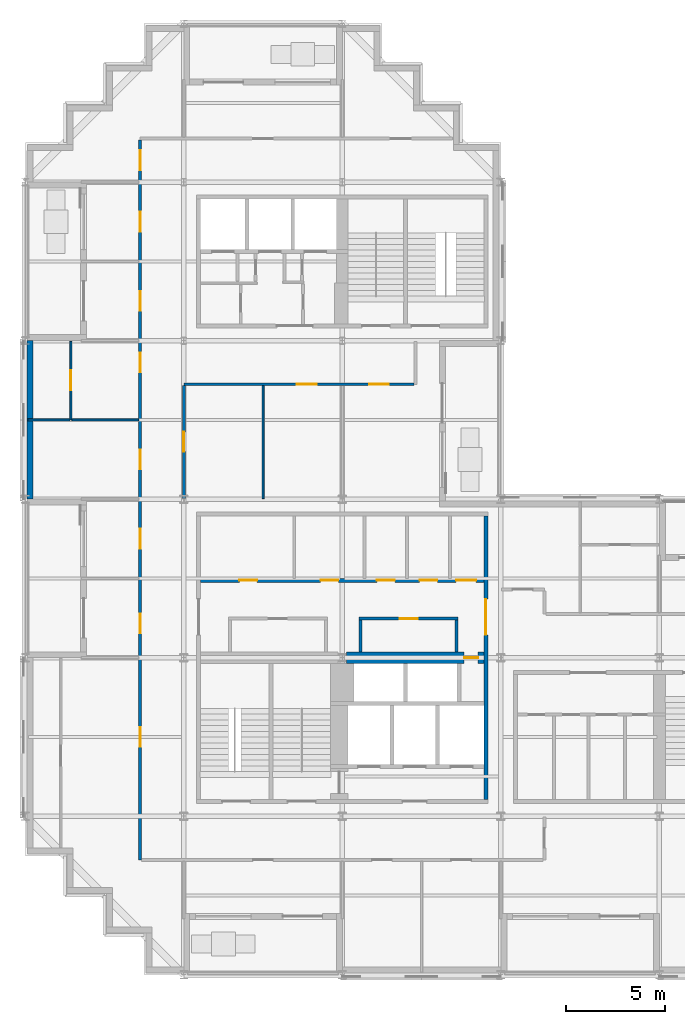
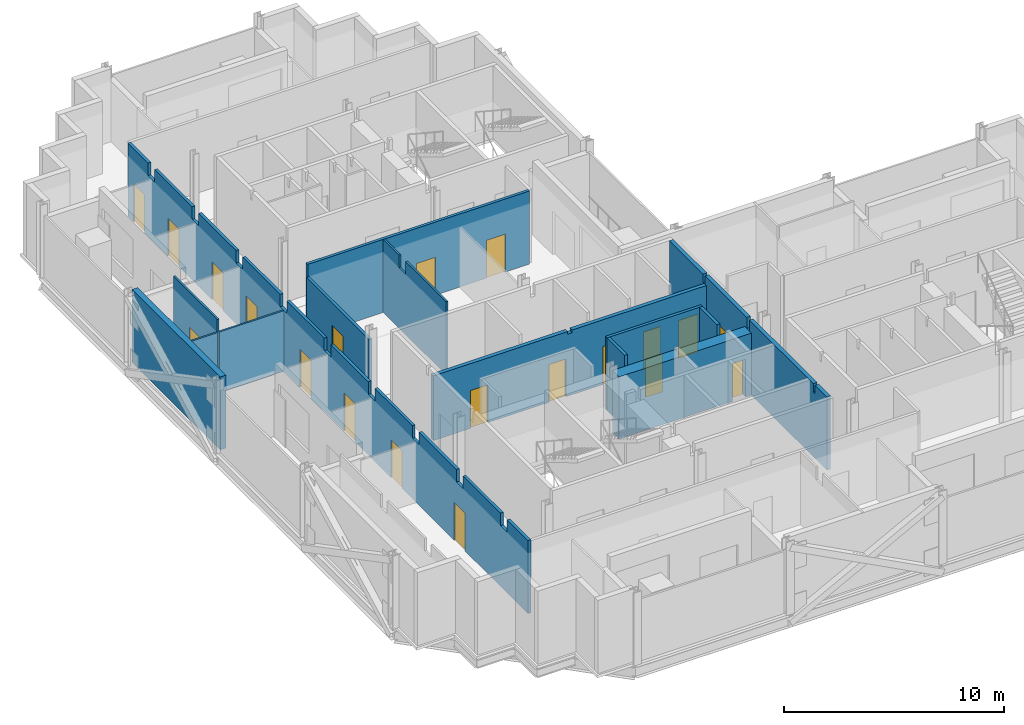
# One storey, part 6 of 13: 20 doors, 14 walls, 20 openings.
"""IFC4 building model written with IfcOpenShell, lengths in metres."""

from ifc_helpers import new_model, si_unit, direction, frame, frame_2d, origin, place, context, subcontext, project, spatial, polyline, rectangle, outline, extrude, material, layer, layer_set, type_object, element, fill, save


model = new_model("IFC4")

# Units and contexts
model_context = context("Model", 3, precision=1e-05, world=origin(), true_north=direction((0.0, 1.0)))
body_context = subcontext(model_context, "Body", "Model", "MODEL_VIEW")
ifc_project = project(units=[si_unit("LENGTHUNIT", "METRE"), si_unit("AREAUNIT", "SQUARE_METRE"), si_unit("VOLUMEUNIT", "CUBIC_METRE"), si_unit("PLANEANGLEUNIT", "RADIAN"), si_unit("MASSUNIT", "GRAM", prefix="KILO")], contexts=[model_context])

# Site, building, storey
site_placement = place(None, origin())
site = spatial("IfcSite", under=ifc_project, at=site_placement, CompositionType="ELEMENT")
building_placement = place(site_placement, origin())
building = spatial("IfcBuilding", under=site, at=building_placement, Name="Immortelle Media Tower", CompositionType="ELEMENT")
storey_placement = place(building_placement, frame((0.0, 0.0, 166.199951171875)))
storey = spatial("IfcBuildingStorey", under=building, at=storey_placement, Name="L34", CompositionType="ELEMENT", Elevation=166.199951171875)

# Wall, opening, door
ifc_material_1 = material(Name="Fire-rated masonry blockwork", Category="masonry")
ifc_layer_1 = layer(ifc_material_1, 0.60009765625)
ifc_layer_set_1 = layer_set([ifc_layer_1], Name="Fire-rated masonry blockwork")
wall_type_1 = type_object("IfcWallType", Name="Core grid-line wall 600", PredefinedType="PARTITIONING", material=ifc_layer_set_1)
wall_1_placement = place(storey_placement, frame((16.20947265625, 16.0, 0.0), z_axis=(0.0, 0.0, 1.0), x_axis=(1.0, 0.0, 0.0)))
wall_1 = element("IfcWall", 1, at=wall_1_placement, inside=storey, type_object=wall_type_1, Name="Core grid-line wall SW", PredefinedType="PARTITIONING", context=body_context, shape_type="SweptSolid", body=[
    extrude(rectangle(XDim=6.9404296875, YDim=0.60009765625, at=frame_2d((3.47021484375, 0.0))), origin(), (0.0, 0.0, 1.0), 3.442138671875),
])
opening_1_placement = place(wall_1_placement, frame((6.640380859375, 0.0, 0.0), z_axis=(0.0, 0.0, 1.0), x_axis=(-1.0, 0.0, 0.0)))
opening_1 = element("IfcOpeningElement", 2, at=opening_1_placement, cuts=wall_1, Name="Opening C5-K016", PredefinedType="OPENING", context=body_context, shape_type="SweptSolid", body=[
    extrude(rectangle(XDim=0.699951171875, YDim=2.10009765625, at=frame_2d((0.35009765625, 1.050048828125))), frame((0.0, 0.31005859375, 0.0), z_axis=(0.0, -1.0, 0.0), x_axis=(1.0, 0.0, 0.0)), (0.0, 0.0, 1.0), 0.6201171875),
])
ifc_material_2 = material(Name="Galvanised steel door leaf and frame ASTM A653", Category="steel")
door_type_1 = type_object("IfcDoorType", Name="Service door 700 x 2100", OperationType="NOTDEFINED", PredefinedType="NOTDEFINED", material=ifc_material_2)
door_1_placement = place(opening_1_placement, origin())
door_1 = element("IfcDoor", 3, at=door_1_placement, inside=storey, type_object=door_type_1, Name="Service C5-K016", OperationType="SINGLE_SWING_LEFT", OverallHeight=2.10009765625, OverallWidth=0.699951171875, PredefinedType="NOTDEFINED", context=body_context, shape_type="SweptSolid", body=[
    extrude(rectangle(XDim=0.699951171875, YDim=2.10009765625, at=frame_2d((0.35009765625, 1.050048828125))), frame((0.0, 0.02490234375, 0.0), z_axis=(0.0, -1.0, 0.0), x_axis=(1.0, 0.0, 0.0)), (0.0, 0.0, 1.0), 0.050048828125),
])
fill(opening_1, door_1)

# Wall
ifc_material_3 = material(Name="Fire-rated gypsum board", Category="gypsum")
ifc_layer_2 = layer(ifc_material_3, 0.02490234375)
ifc_material_4 = material(Name="Steel ASTM A653 SS Gr 50 stud frame with mineral wool", Category="steel")
ifc_layer_3 = layer(ifc_material_4, 0.10009765625)
ifc_layer_4 = layer(ifc_material_3, 0.02490234375)
ifc_layer_set_2 = layer_set([ifc_layer_2, ifc_layer_3, ifc_layer_4], Name="Steel ASTM A653 SS Gr 50 stud frame with mineral wool")
wall_type_2 = type_object("IfcWallType", Name="Core partition 150", PredefinedType="PARTITIONING", material=ifc_layer_set_2)
wall_2_placement = place(storey_placement, frame((16.925048828125, 16.300048828125, 0.0), z_axis=(0.0, 0.0, 1.0), x_axis=(0.0, 1.0, 0.0)))
element("IfcWall", 4, at=wall_2_placement, inside=storey, type_object=wall_type_2, Name="Core partition SW", PredefinedType="PARTITIONING", context=body_context, shape_type="SweptSolid", body=[
    extrude(rectangle(XDim=1.599853515625, YDim=0.14990234375, at=frame_2d((0.7998046875, 0.0))), origin(), (0.0, 0.0, 1.0), 4.050048828125),
])

# Wall, opening, door
wall_3_placement = place(storey_placement, frame((16.85009765625, 17.97509765625, 0.0), z_axis=(0.0, 0.0, 1.0), x_axis=(1.0, 0.0, 0.0)))
wall_3 = element("IfcWall", 5, at=wall_3_placement, inside=storey, type_object=wall_type_2, Name="Core partition SW", PredefinedType="PARTITIONING", context=body_context, shape_type="SweptSolid", body=[
    extrude(rectangle(XDim=5.0, YDim=0.14990234375, at=frame_2d((2.5, 0.0))), origin(), (0.0, 0.0, 1.0), 4.050048828125),
])
opening_2_placement = place(wall_3_placement, frame((2.949951171875, 0.0, 0.0), z_axis=(0.0, 0.0, 1.0), x_axis=(-1.0, 0.0, 0.0)))
opening_2 = element("IfcOpeningElement", 6, at=opening_2_placement, cuts=wall_3, Name="Opening C5-K010", PredefinedType="OPENING", context=body_context, shape_type="SweptSolid", body=[
    extrude(rectangle(XDim=0.89990234375, YDim=2.10009765625, at=frame_2d((0.449951171875, 1.050048828125))), frame((0.0, 0.0849609375, 0.0), z_axis=(0.0, -1.0, 0.0), x_axis=(1.0, 0.0, 0.0)), (0.0, 0.0, 1.0), 0.169921875),
])
ifc_material_5 = material(Name="Timber", Category="wood")
door_type_2 = type_object("IfcDoorType", Name="Room door 900 x 2100", OperationType="NOTDEFINED", PredefinedType="NOTDEFINED", material=ifc_material_5)
door_2_placement = place(opening_2_placement, origin())
door_2 = element("IfcDoor", 7, at=door_2_placement, inside=storey, type_object=door_type_2, Name="Room C5-K010", OperationType="SINGLE_SWING_RIGHT", OverallHeight=2.10009765625, OverallWidth=0.89990234375, PredefinedType="NOTDEFINED", context=body_context, shape_type="SweptSolid", body=[
    extrude(rectangle(XDim=0.89990234375, YDim=2.10009765625, at=frame_2d((0.449951171875, 1.050048828125))), frame((0.0, 0.02490234375, 0.0), z_axis=(0.0, -1.0, 0.0), x_axis=(1.0, 0.0, 0.0)), (0.0, 0.0, 1.0), 0.050048828125),
])
fill(opening_2, door_2)

# Wall
wall_4_placement = place(storey_placement, frame((21.77490234375, 16.300048828125, 0.0), z_axis=(0.0, 0.0, 1.0), x_axis=(0.0, 1.0, 0.0)))
element("IfcWall", 8, at=wall_4_placement, inside=storey, type_object=wall_type_2, Name="Core partition SW", PredefinedType="PARTITIONING", context=body_context, shape_type="SweptSolid", body=[
    extrude(rectangle(XDim=1.599853515625, YDim=0.14990234375, at=frame_2d((0.7998046875, 0.0))), origin(), (0.0, 0.0, 1.0), 4.050048828125),
])

# Wall, openings, doors
ifc_layer_5 = layer(ifc_material_3, 0.03759765625)
ifc_layer_6 = layer(ifc_material_4, 0.125)
ifc_layer_7 = layer(ifc_material_3, 0.03759765625)
ifc_layer_set_3 = layer_set([ifc_layer_5, ifc_layer_6, ifc_layer_7], Name="Steel ASTM A653 SS Gr 50 stud frame with mineral wool")
wall_type_3 = type_object("IfcWallType", Name="Core shaft wall 200", PredefinedType="PARTITIONING", material=ifc_layer_set_3)
wall_5_placement = place(storey_placement, frame((8.85009765625, 19.89990234375, 0.0), z_axis=(0.0, 0.0, 1.0), x_axis=(1.0, 0.0, 0.0)))
wall_5 = element("IfcWall", 9, at=wall_5_placement, inside=storey, type_object=wall_type_3, Name="Core shaft wall SW", PredefinedType="PARTITIONING", context=body_context, shape_type="SweptSolid", body=[
    extrude(outline(polyline([(0.0, 0.0), (14.2998046875, 0.0), (14.300048828125, 3.589111328125), (7.26904296875, 3.589111328125), (7.26806640625, 3.442138671875), (7.031982421875, 3.442138671875), (7.031005859375, 3.589111328125), (0.0, 3.589111328125), (0.0, 0.0)])), frame((0.0, 0.10009765625, 0.0), z_axis=(0.0, -1.0, 0.0), x_axis=(1.0, 0.0, 0.0)), (0.0, 0.0, 1.0), 0.199951171875),
])
opening_3_placement = place(wall_5_placement, frame((1.949951171875, 0.0, 0.0)))
opening_3 = element("IfcOpeningElement", 10, at=opening_3_placement, cuts=wall_5, Name="Opening C5-K003", PredefinedType="OPENING", context=body_context, shape_type="SweptSolid", body=[
    extrude(rectangle(XDim=0.89990234375, YDim=2.10009765625, at=frame_2d((0.449951171875, 1.050048828125))), frame((0.0, 0.10986328125, 0.0), z_axis=(0.0, -1.0, 0.0), x_axis=(1.0, 0.0, 0.0)), (0.0, 0.0, 1.0), 0.219970703125),
])
opening_4_placement = place(wall_5_placement, frame((6.050048828125, 0.0, 0.0)))
opening_4 = element("IfcOpeningElement", 11, at=opening_4_placement, cuts=wall_5, Name="Opening C5-K006", PredefinedType="OPENING", context=body_context, shape_type="SweptSolid", body=[
    extrude(rectangle(XDim=0.89990234375, YDim=2.10009765625, at=frame_2d((0.449951171875, 1.050048828125))), frame((0.0, 0.10986328125, 0.0), z_axis=(0.0, -1.0, 0.0), x_axis=(1.0, 0.0, 0.0)), (0.0, 0.0, 1.0), 0.219970703125),
])
opening_5_placement = place(wall_5_placement, frame((8.89990234375, 0.0, 0.0)))
opening_5 = element("IfcOpeningElement", 12, at=opening_5_placement, cuts=wall_5, Name="Opening C5-K009", PredefinedType="OPENING", context=body_context, shape_type="SweptSolid", body=[
    extrude(rectangle(XDim=0.89990234375, YDim=2.10009765625, at=frame_2d((0.449951171875, 1.050048828125))), frame((0.0, 0.10986328125, 0.0), z_axis=(0.0, -1.0, 0.0), x_axis=(1.0, 0.0, 0.0)), (0.0, 0.0, 1.0), 0.219970703125),
])
opening_6_placement = place(wall_5_placement, frame((11.050048828125, 0.0, 0.0)))
opening_6 = element("IfcOpeningElement", 13, at=opening_6_placement, cuts=wall_5, Name="Opening C5-K013", PredefinedType="OPENING", context=body_context, shape_type="SweptSolid", body=[
    extrude(rectangle(XDim=0.89990234375, YDim=2.10009765625, at=frame_2d((0.449951171875, 1.050048828125))), frame((0.0, 0.10986328125, 0.0), z_axis=(0.0, -1.0, 0.0), x_axis=(1.0, 0.0, 0.0)), (0.0, 0.0, 1.0), 0.219970703125),
])
opening_7_placement = place(wall_5_placement, frame((12.89990234375, 0.0, 0.0)))
opening_7 = element("IfcOpeningElement", 14, at=opening_7_placement, cuts=wall_5, Name="Opening C5-K015", PredefinedType="OPENING", context=body_context, shape_type="SweptSolid", body=[
    extrude(rectangle(XDim=1.0, YDim=2.10009765625, at=frame_2d((0.5, 1.050048828125))), frame((0.0, 0.10986328125, 0.0), z_axis=(0.0, -1.0, 0.0), x_axis=(1.0, 0.0, 0.0)), (0.0, 0.0, 1.0), 0.219970703125),
])
door_type_3 = type_object("IfcDoorType", Name="Accessible toilet door 1000 x 2100", OperationType="NOTDEFINED", PredefinedType="NOTDEFINED", material=ifc_material_5)
door_3_placement = place(opening_7_placement, origin())
door_3 = element("IfcDoor", 15, at=door_3_placement, inside=storey, type_object=door_type_3, Name="Accessible toilet C5-K015", OperationType="SINGLE_SWING_LEFT", OverallHeight=2.10009765625, OverallWidth=1.0, PredefinedType="NOTDEFINED", context=body_context, shape_type="SweptSolid", body=[
    extrude(rectangle(XDim=1.0, YDim=2.10009765625, at=frame_2d((0.5, 1.050048828125))), frame((0.0, 0.02490234375, 0.0), z_axis=(0.0, -1.0, 0.0), x_axis=(1.0, 0.0, 0.0)), (0.0, 0.0, 1.0), 0.050048828125),
])
fill(opening_7, door_3)
door_4_placement = place(opening_3_placement, origin())
door_4 = element("IfcDoor", 16, at=door_4_placement, inside=storey, type_object=door_type_2, Name="Room C5-K003", OperationType="SINGLE_SWING_LEFT", OverallHeight=2.10009765625, OverallWidth=0.89990234375, PredefinedType="NOTDEFINED", context=body_context, shape_type="SweptSolid", body=[
    extrude(rectangle(XDim=0.89990234375, YDim=2.10009765625, at=frame_2d((0.449951171875, 1.050048828125))), frame((0.0, 0.02490234375, 0.0), z_axis=(0.0, -1.0, 0.0), x_axis=(1.0, 0.0, 0.0)), (0.0, 0.0, 1.0), 0.050048828125),
])
fill(opening_3, door_4)
door_5_placement = place(opening_4_placement, origin())
door_5 = element("IfcDoor", 17, at=door_5_placement, inside=storey, type_object=door_type_2, Name="Room C5-K006", OperationType="SINGLE_SWING_RIGHT", OverallHeight=2.10009765625, OverallWidth=0.89990234375, PredefinedType="NOTDEFINED", context=body_context, shape_type="SweptSolid", body=[
    extrude(rectangle(XDim=0.89990234375, YDim=2.10009765625, at=frame_2d((0.449951171875, 1.050048828125))), frame((0.0, 0.02490234375, 0.0), z_axis=(0.0, -1.0, 0.0), x_axis=(1.0, 0.0, 0.0)), (0.0, 0.0, 1.0), 0.050048828125),
])
fill(opening_4, door_5)
door_type_4 = type_object("IfcDoorType", Name="Toilet door 900 x 2100", OperationType="NOTDEFINED", PredefinedType="NOTDEFINED", material=ifc_material_5)
door_6_placement = place(opening_5_placement, origin())
door_6 = element("IfcDoor", 18, at=door_6_placement, inside=storey, type_object=door_type_4, Name="Toilet C5-K009", OperationType="SINGLE_SWING_LEFT", OverallHeight=2.10009765625, OverallWidth=0.89990234375, PredefinedType="NOTDEFINED", context=body_context, shape_type="SweptSolid", body=[
    extrude(rectangle(XDim=0.89990234375, YDim=2.10009765625, at=frame_2d((0.449951171875, 1.050048828125))), frame((0.0, 0.02490234375, 0.0), z_axis=(0.0, -1.0, 0.0), x_axis=(1.0, 0.0, 0.0)), (0.0, 0.0, 1.0), 0.050048828125),
])
fill(opening_5, door_6)
door_7_placement = place(opening_6_placement, origin())
door_7 = element("IfcDoor", 19, at=door_7_placement, inside=storey, type_object=door_type_4, Name="Toilet C5-K013", OperationType="SINGLE_SWING_LEFT", OverallHeight=2.10009765625, OverallWidth=0.89990234375, PredefinedType="NOTDEFINED", context=body_context, shape_type="SweptSolid", body=[
    extrude(rectangle(XDim=0.89990234375, YDim=2.10009765625, at=frame_2d((0.449951171875, 1.050048828125))), frame((0.0, 0.02490234375, 0.0), z_axis=(0.0, -1.0, 0.0), x_axis=(1.0, 0.0, 0.0)), (0.0, 0.0, 1.0), 0.050048828125),
])
fill(opening_6, door_7)

# Wall, opening, door
wall_6_placement = place(storey_placement, frame((23.25, 8.85009765625, 0.0), z_axis=(0.0, 0.0, 1.0), x_axis=(0.0, 1.0, 0.0)))
wall_6 = element("IfcWall", 20, at=wall_6_placement, inside=storey, type_object=wall_type_3, Name="Core shaft wall SW", PredefinedType="PARTITIONING", context=body_context, shape_type="SweptSolid", body=[
    extrude(outline(polyline([(0.0, 0.0), (14.2998046875, 0.0), (14.300048828125, 4.050048828125), (11.2314453125, 4.050048828125), (11.23046875, 3.589111328125), (11.069580078125, 3.589111328125), (11.068603515625, 4.050048828125), (7.26904296875, 4.050048828125), (7.26806640625, 3.442138671875), (7.031982421875, 3.442138671875), (7.031005859375, 4.050048828125), (1.2314453125, 4.050048828125), (1.23046875, 3.589111328125), (1.069580078125, 3.589111328125), (1.068603515625, 4.050048828125), (0.0, 4.050048828125), (0.0, 0.0)])), frame((0.0, 0.10009765625, 0.0), z_axis=(0.0, -1.0, 0.0), x_axis=(1.0, 0.0, 0.0)), (0.0, 0.0, 1.0), 0.199951171875),
])
opening_8_placement = place(wall_6_placement, frame((8.300048828125, 0.0, 0.0)))
opening_8 = element("IfcOpeningElement", 21, at=opening_8_placement, cuts=wall_6, Name="Opening C5-K017", PredefinedType="OPENING", context=body_context, shape_type="SweptSolid", body=[
    extrude(rectangle(XDim=1.800048828125, YDim=2.10009765625, at=frame_2d((0.89990234375, 1.050048828125))), frame((0.0, 0.10986328125, 0.0), z_axis=(0.0, -1.0, 0.0), x_axis=(1.0, 0.0, 0.0)), (0.0, 0.0, 1.0), 0.219970703125),
])
door_type_5 = type_object("IfcDoorType", Name="Lift lobby door 1800 x 2100", OperationType="DOUBLE_DOOR_SINGLE_SWING", PredefinedType="NOTDEFINED", material=ifc_material_2)
door_8_placement = place(opening_8_placement, origin())
door_8 = element("IfcDoor", 22, at=door_8_placement, inside=storey, type_object=door_type_5, Name="Lift lobby C5-K017", OperationType="DOUBLE_DOOR_SINGLE_SWING", OverallHeight=2.10009765625, OverallWidth=1.800048828125, PredefinedType="NOTDEFINED", context=body_context, shape_type="SweptSolid", body=[
    extrude(rectangle(XDim=1.800048828125, YDim=2.10009765625, at=frame_2d((0.89990234375, 1.050048828125))), frame((0.0, 0.02490234375, 0.0), z_axis=(0.0, -1.0, 0.0), x_axis=(1.0, 0.0, 0.0)), (0.0, 0.0, 1.0), 0.050048828125),
])
fill(opening_8, door_8)

# Wall, openings, doors
ifc_layer_8 = layer(ifc_material_3, 0.012451171875)
ifc_layer_9 = layer(ifc_material_4, 0.125)
ifc_layer_10 = layer(ifc_material_3, 0.012451171875)
ifc_layer_set_4 = layer_set([ifc_layer_8, ifc_layer_9, ifc_layer_10], Name="Steel ASTM A653 SS Gr 50 stud frame with mineral wool")
wall_type_4 = type_object("IfcWallType", Name="Corridor wall 150", PredefinedType="PARTITIONING", material=ifc_layer_set_4)
wall_7_placement = place(storey_placement, frame((5.800048828125, 5.800048828125, 0.0), z_axis=(0.0, 0.0, 1.0), x_axis=(0.0, 1.0, 0.0)))
wall_7 = element("IfcWall", 23, at=wall_7_placement, inside=storey, type_object=wall_type_4, Name="Partition L34-006", PredefinedType="PARTITIONING", context=body_context, shape_type="SweptSolid", body=[
    extrude(outline(polyline([(0.0, 0.0), (36.324951171875, 0.0), (36.324951171875, 4.050048828125), (34.5, 4.050048828125), (34.498046875, 3.35400390625), (33.902099609375, 3.35400390625), (33.89990234375, 4.050048828125), (30.5, 4.050048828125), (30.498046875, 3.35400390625), (29.902099609375, 3.35400390625), (29.89990234375, 4.050048828125), (26.5, 4.050048828125), (26.498046875, 3.35400390625), (25.902099609375, 3.35400390625), (25.89990234375, 4.050048828125), (22.5, 4.050048828125), (22.498046875, 3.35400390625), (21.902099609375, 3.35400390625), (21.89990234375, 4.050048828125), (18.5, 4.050048828125), (18.498046875, 3.35400390625), (17.902099609375, 3.35400390625), (17.89990234375, 4.050048828125), (14.5, 4.050048828125), (14.498046875, 3.35400390625), (13.902099609375, 3.35400390625), (13.89990234375, 4.050048828125), (10.5, 4.050048828125), (10.498046875, 3.35400390625), (9.902099609375, 3.35400390625), (9.89990234375, 4.050048828125), (6.5, 4.050048828125), (6.498046875, 3.35400390625), (5.902099609375, 3.35400390625), (5.89990234375, 4.050048828125), (2.5, 4.050048828125), (2.498046875, 3.35400390625), (1.902099609375, 3.35400390625), (1.89990234375, 4.050048828125), (0.0, 4.050048828125), (0.0, 0.0)])), frame((0.0, 0.074951171875, 0.0), z_axis=(0.0, -1.0, 0.0), x_axis=(1.0, 0.0, 0.0)), (0.0, 0.0, 1.0), 0.14990234375),
])
opening_9_placement = place(wall_7_placement, frame((5.699951171875, 0.0, 0.0)))
opening_9 = element("IfcOpeningElement", 24, at=opening_9_placement, cuts=wall_7, Name="Opening C5-F005", PredefinedType="OPENING", context=body_context, shape_type="SweptSolid", body=[
    extrude(rectangle(XDim=1.0, YDim=2.10009765625, at=frame_2d((0.5, 1.050048828125))), frame((0.0, 0.0849609375, 0.0), z_axis=(0.0, -1.0, 0.0), x_axis=(1.0, 0.0, 0.0)), (0.0, 0.0, 1.0), 0.169921875),
])
opening_10_placement = place(wall_7_placement, frame((11.425048828125, 0.0, 0.0)))
opening_10 = element("IfcOpeningElement", 25, at=opening_10_placement, cuts=wall_7, Name="Opening C5-F008", PredefinedType="OPENING", context=body_context, shape_type="SweptSolid", body=[
    extrude(rectangle(XDim=1.0, YDim=2.10009765625, at=frame_2d((0.5, 1.050048828125))), frame((0.0, 0.0849609375, 0.0), z_axis=(0.0, -1.0, 0.0), x_axis=(1.0, 0.0, 0.0)), (0.0, 0.0, 1.0), 0.169921875),
])
opening_11_placement = place(wall_7_placement, frame((15.699951171875, 0.0, 0.0)))
opening_11 = element("IfcOpeningElement", 26, at=opening_11_placement, cuts=wall_7, Name="Opening C5-F009", PredefinedType="OPENING", context=body_context, shape_type="SweptSolid", body=[
    extrude(rectangle(XDim=1.0, YDim=2.10009765625, at=frame_2d((0.5, 1.050048828125))), frame((0.0, 0.0849609375, 0.0), z_axis=(0.0, -1.0, 0.0), x_axis=(1.0, 0.0, 0.0)), (0.0, 0.0, 1.0), 0.169921875),
])
opening_12_placement = place(wall_7_placement, frame((19.699951171875, 0.0, 0.0)))
opening_12 = element("IfcOpeningElement", 27, at=opening_12_placement, cuts=wall_7, Name="Opening C5-F016", PredefinedType="OPENING", context=body_context, shape_type="SweptSolid", body=[
    extrude(rectangle(XDim=1.0, YDim=2.10009765625, at=frame_2d((0.5, 1.050048828125))), frame((0.0, 0.0849609375, 0.0), z_axis=(0.0, -1.0, 0.0), x_axis=(1.0, 0.0, 0.0)), (0.0, 0.0, 1.0), 0.169921875),
])
opening_13_placement = place(wall_7_placement, frame((25.60009765625, 0.0, 0.0), z_axis=(0.0, 0.0, 1.0), x_axis=(-1.0, 0.0, 0.0)))
opening_13 = element("IfcOpeningElement", 28, at=opening_13_placement, cuts=wall_7, Name="Opening C5-F017", PredefinedType="OPENING", context=body_context, shape_type="SweptSolid", body=[
    extrude(rectangle(XDim=1.0, YDim=2.10009765625, at=frame_2d((0.5, 1.050048828125))), frame((0.0, 0.0849609375, 0.0), z_axis=(0.0, -1.0, 0.0), x_axis=(1.0, 0.0, 0.0)), (0.0, 0.0, 1.0), 0.169921875),
])
opening_14_placement = place(wall_7_placement, frame((27.699951171875, 0.0, 0.0)))
opening_14 = element("IfcOpeningElement", 29, at=opening_14_placement, cuts=wall_7, Name="Opening C5-F019", PredefinedType="OPENING", context=body_context, shape_type="SweptSolid", body=[
    extrude(rectangle(XDim=1.0, YDim=2.10009765625, at=frame_2d((0.5, 1.050048828125))), frame((0.0, 0.0849609375, 0.0), z_axis=(0.0, -1.0, 0.0), x_axis=(1.0, 0.0, 0.0)), (0.0, 0.0, 1.0), 0.169921875),
])
opening_15_placement = place(wall_7_placement, frame((31.699951171875, 0.0, 0.0)))
opening_15 = element("IfcOpeningElement", 30, at=opening_15_placement, cuts=wall_7, Name="Opening C5-F020", PredefinedType="OPENING", context=body_context, shape_type="SweptSolid", body=[
    extrude(rectangle(XDim=1.0, YDim=2.10009765625, at=frame_2d((0.5, 1.050048828125))), frame((0.0, 0.0849609375, 0.0), z_axis=(0.0, -1.0, 0.0), x_axis=(1.0, 0.0, 0.0)), (0.0, 0.0, 1.0), 0.169921875),
])
opening_16_placement = place(wall_7_placement, frame((34.800048828125, 0.0, 0.0)))
opening_16 = element("IfcOpeningElement", 31, at=opening_16_placement, cuts=wall_7, Name="Opening C5-F021", PredefinedType="OPENING", context=body_context, shape_type="SweptSolid", body=[
    extrude(rectangle(XDim=1.0, YDim=2.10009765625, at=frame_2d((0.5, 1.050048828125))), frame((0.0, 0.0849609375, 0.0), z_axis=(0.0, -1.0, 0.0), x_axis=(1.0, 0.0, 0.0)), (0.0, 0.0, 1.0), 0.169921875),
])
ifc_material_6 = material(Name="Timber veneered door leaf, galvanised steel frame ASTM A653", Category="steel")
door_type_6 = type_object("IfcDoorType", Name="Room door 1000 x 2100", OperationType="NOTDEFINED", PredefinedType="DOOR", material=ifc_material_6)
door_9_placement = place(opening_9_placement, origin())
door_9 = element("IfcDoor", 32, at=door_9_placement, inside=storey, type_object=door_type_6, Name="Door C5-F005", OperationType="SINGLE_SWING_RIGHT", OverallHeight=2.10009765625, OverallWidth=1.0, PredefinedType="DOOR", context=body_context, shape_type="SweptSolid", body=[
    extrude(rectangle(XDim=1.0, YDim=2.10009765625, at=frame_2d((0.5, 1.050048828125))), frame((0.0, 0.02490234375, 0.0), z_axis=(0.0, -1.0, 0.0), x_axis=(1.0, 0.0, 0.0)), (0.0, 0.0, 1.0), 0.050048828125),
])
fill(opening_9, door_9)
door_10_placement = place(opening_10_placement, origin())
door_10 = element("IfcDoor", 33, at=door_10_placement, inside=storey, type_object=door_type_6, Name="Door C5-F008", OperationType="SINGLE_SWING_LEFT", OverallHeight=2.10009765625, OverallWidth=1.0, PredefinedType="DOOR", context=body_context, shape_type="SweptSolid", body=[
    extrude(rectangle(XDim=1.0, YDim=2.10009765625, at=frame_2d((0.5, 1.050048828125))), frame((0.0, 0.02490234375, 0.0), z_axis=(0.0, -1.0, 0.0), x_axis=(1.0, 0.0, 0.0)), (0.0, 0.0, 1.0), 0.050048828125),
])
fill(opening_10, door_10)
door_11_placement = place(opening_11_placement, origin())
door_11 = element("IfcDoor", 34, at=door_11_placement, inside=storey, type_object=door_type_6, Name="Door C5-F009", OperationType="SINGLE_SWING_LEFT", OverallHeight=2.10009765625, OverallWidth=1.0, PredefinedType="DOOR", context=body_context, shape_type="SweptSolid", body=[
    extrude(rectangle(XDim=1.0, YDim=2.10009765625, at=frame_2d((0.5, 1.050048828125))), frame((0.0, 0.02490234375, 0.0), z_axis=(0.0, -1.0, 0.0), x_axis=(1.0, 0.0, 0.0)), (0.0, 0.0, 1.0), 0.050048828125),
])
fill(opening_11, door_11)
door_12_placement = place(opening_12_placement, origin())
door_12 = element("IfcDoor", 35, at=door_12_placement, inside=storey, type_object=door_type_6, Name="Door C5-F016", OperationType="SINGLE_SWING_LEFT", OverallHeight=2.10009765625, OverallWidth=1.0, PredefinedType="DOOR", context=body_context, shape_type="SweptSolid", body=[
    extrude(rectangle(XDim=1.0, YDim=2.10009765625, at=frame_2d((0.5, 1.050048828125))), frame((0.0, 0.02490234375, 0.0), z_axis=(0.0, -1.0, 0.0), x_axis=(1.0, 0.0, 0.0)), (0.0, 0.0, 1.0), 0.050048828125),
])
fill(opening_12, door_12)
door_13_placement = place(opening_13_placement, origin())
door_13 = element("IfcDoor", 36, at=door_13_placement, inside=storey, type_object=door_type_6, Name="Door C5-F017", OperationType="SINGLE_SWING_LEFT", OverallHeight=2.10009765625, OverallWidth=1.0, PredefinedType="DOOR", context=body_context, shape_type="SweptSolid", body=[
    extrude(rectangle(XDim=1.0, YDim=2.10009765625, at=frame_2d((0.5, 1.050048828125))), frame((0.0, 0.02490234375, 0.0), z_axis=(0.0, -1.0, 0.0), x_axis=(1.0, 0.0, 0.0)), (0.0, 0.0, 1.0), 0.050048828125),
])
fill(opening_13, door_13)
door_14_placement = place(opening_14_placement, origin())
door_14 = element("IfcDoor", 37, at=door_14_placement, inside=storey, type_object=door_type_6, Name="Door C5-F019", OperationType="SINGLE_SWING_LEFT", OverallHeight=2.10009765625, OverallWidth=1.0, PredefinedType="DOOR", context=body_context, shape_type="SweptSolid", body=[
    extrude(rectangle(XDim=1.0, YDim=2.10009765625, at=frame_2d((0.5, 1.050048828125))), frame((0.0, 0.02490234375, 0.0), z_axis=(0.0, -1.0, 0.0), x_axis=(1.0, 0.0, 0.0)), (0.0, 0.0, 1.0), 0.050048828125),
])
fill(opening_14, door_14)
door_15_placement = place(opening_15_placement, origin())
door_15 = element("IfcDoor", 38, at=door_15_placement, inside=storey, type_object=door_type_6, Name="Door C5-F020", OperationType="SINGLE_SWING_RIGHT", OverallHeight=2.10009765625, OverallWidth=1.0, PredefinedType="DOOR", context=body_context, shape_type="SweptSolid", body=[
    extrude(rectangle(XDim=1.0, YDim=2.10009765625, at=frame_2d((0.5, 1.050048828125))), frame((0.0, 0.02490234375, 0.0), z_axis=(0.0, -1.0, 0.0), x_axis=(1.0, 0.0, 0.0)), (0.0, 0.0, 1.0), 0.050048828125),
])
fill(opening_15, door_15)
door_16_placement = place(opening_16_placement, origin())
door_16 = element("IfcDoor", 39, at=door_16_placement, inside=storey, type_object=door_type_6, Name="Door C5-F021", OperationType="SINGLE_SWING_LEFT", OverallHeight=2.10009765625, OverallWidth=1.0, PredefinedType="DOOR", context=body_context, shape_type="SweptSolid", body=[
    extrude(rectangle(XDim=1.0, YDim=2.10009765625, at=frame_2d((0.5, 1.050048828125))), frame((0.0, 0.02490234375, 0.0), z_axis=(0.0, -1.0, 0.0), x_axis=(1.0, 0.0, 0.0)), (0.0, 0.0, 1.0), 0.050048828125),
])
fill(opening_16, door_16)

# Wall, opening, door
wall_8_placement = place(storey_placement, frame((8.0, 24.030029296875, 0.0), z_axis=(0.0, 0.0, 1.0), x_axis=(0.0, 1.0, 0.0)))
wall_8 = element("IfcWall", 40, at=wall_8_placement, inside=storey, type_object=wall_type_4, Name="Partition L34-021", PredefinedType="PARTITIONING", context=body_context, shape_type="SweptSolid", body=[
    extrude(rectangle(XDim=5.695068359375, YDim=0.14990234375, at=frame_2d((2.84765625, 0.0))), origin(), (0.0, 0.0, 1.0), 3.35400390625),
])
opening_17_placement = place(wall_8_placement, frame((3.3701171875, 0.0, 0.0), z_axis=(0.0, 0.0, 1.0), x_axis=(-1.0, 0.0, 0.0)))
opening_17 = element("IfcOpeningElement", 41, at=opening_17_placement, cuts=wall_8, Name="Opening C5-F013", PredefinedType="OPENING", context=body_context, shape_type="SweptSolid", body=[
    extrude(rectangle(XDim=1.0, YDim=2.10009765625, at=frame_2d((0.5, 1.050048828125))), frame((0.0, 0.0849609375, 0.0), z_axis=(0.0, -1.0, 0.0), x_axis=(1.0, 0.0, 0.0)), (0.0, 0.0, 1.0), 0.169921875),
])
door_17_placement = place(opening_17_placement, origin())
door_17 = element("IfcDoor", 42, at=door_17_placement, inside=storey, type_object=door_type_6, Name="Door C5-F013", OperationType="SINGLE_SWING_RIGHT", OverallHeight=2.10009765625, OverallWidth=1.0, PredefinedType="DOOR", context=body_context, shape_type="SweptSolid", body=[
    extrude(rectangle(XDim=1.0, YDim=2.10009765625, at=frame_2d((0.5, 1.050048828125))), frame((0.0, 0.02490234375, 0.0), z_axis=(0.0, -1.0, 0.0), x_axis=(1.0, 0.0, 0.0)), (0.0, 0.0, 1.0), 0.050048828125),
])
fill(opening_17, door_17)

# Wall, openings, doors
wall_9_placement = place(storey_placement, frame((8.0, 29.800048828125, 0.0), z_axis=(0.0, 0.0, 1.0), x_axis=(1.0, 0.0, 0.0)))
wall_9 = element("IfcWall", 43, at=wall_9_placement, inside=storey, type_object=wall_type_4, Name="Partition L34-027", PredefinedType="PARTITIONING", context=body_context, shape_type="SweptSolid", body=[
    extrude(rectangle(XDim=11.625, YDim=0.14990234375, at=frame_2d((5.8125, 0.0))), origin(), (0.0, 0.0, 1.0), 4.050048828125),
])
opening_18_placement = place(wall_9_placement, frame((6.699951171875, 0.0, 0.0), z_axis=(0.0, 0.0, 1.0), x_axis=(-1.0, 0.0, 0.0)))
opening_18 = element("IfcOpeningElement", 44, at=opening_18_placement, cuts=wall_9, Name="Opening C5-F014", PredefinedType="OPENING", context=body_context, shape_type="SweptSolid", body=[
    extrude(rectangle(XDim=1.0, YDim=2.10009765625, at=frame_2d((0.5, 1.050048828125))), frame((0.0, 0.0849609375, 0.0), z_axis=(0.0, -1.0, 0.0), x_axis=(1.0, 0.0, 0.0)), (0.0, 0.0, 1.0), 0.169921875),
])
opening_19_placement = place(wall_9_placement, frame((10.35009765625, 0.0, 0.0), z_axis=(0.0, 0.0, 1.0), x_axis=(-1.0, 0.0, 0.0)))
opening_19 = element("IfcOpeningElement", 45, at=opening_19_placement, cuts=wall_9, Name="Opening C5-F015", PredefinedType="OPENING", context=body_context, shape_type="SweptSolid", body=[
    extrude(rectangle(XDim=1.0, YDim=2.10009765625, at=frame_2d((0.5, 1.050048828125))), frame((0.0, 0.0849609375, 0.0), z_axis=(0.0, -1.0, 0.0), x_axis=(1.0, 0.0, 0.0)), (0.0, 0.0, 1.0), 0.169921875),
])
door_18_placement = place(opening_18_placement, origin())
door_18 = element("IfcDoor", 46, at=door_18_placement, inside=storey, type_object=door_type_6, Name="Door C5-F014", OperationType="SINGLE_SWING_LEFT", OverallHeight=2.10009765625, OverallWidth=1.0, PredefinedType="DOOR", context=body_context, shape_type="SweptSolid", body=[
    extrude(rectangle(XDim=1.0, YDim=2.10009765625, at=frame_2d((0.5, 1.050048828125))), frame((0.0, 0.02490234375, 0.0), z_axis=(0.0, -1.0, 0.0), x_axis=(1.0, 0.0, 0.0)), (0.0, 0.0, 1.0), 0.050048828125),
])
fill(opening_18, door_18)
door_19_placement = place(opening_19_placement, origin())
door_19 = element("IfcDoor", 47, at=door_19_placement, inside=storey, type_object=door_type_6, Name="Door C5-F015", OperationType="SINGLE_SWING_RIGHT", OverallHeight=2.10009765625, OverallWidth=1.0, PredefinedType="DOOR", context=body_context, shape_type="SweptSolid", body=[
    extrude(rectangle(XDim=1.0, YDim=2.10009765625, at=frame_2d((0.5, 1.050048828125))), frame((0.0, 0.02490234375, 0.0), z_axis=(0.0, -1.0, 0.0), x_axis=(1.0, 0.0, 0.0)), (0.0, 0.0, 1.0), 0.050048828125),
])
fill(opening_19, door_19)

# Walls
ifc_material_7 = material(Name="Pale aluminium cladding panel", Category="aluminium")
ifc_layer_11 = layer(ifc_material_7, 0.030029296875)
ifc_layer_12 = layer(ifc_material_4, 0.257568359375)
ifc_material_8 = material(Name="Moisture-resistant gypsum board", Category="gypsum")
ifc_layer_13 = layer(ifc_material_8, 0.012451171875)
ifc_layer_set_5 = layer_set([ifc_layer_11, ifc_layer_12, ifc_layer_13], Name="Steel ASTM A653 SS Gr 50 stud frame with mineral wool")
wall_type_5 = type_object("IfcWallType", Name="Facade wall 300", PredefinedType="SOLIDWALL", material=ifc_layer_set_5)
wall_10_placement = place(storey_placement, frame((0.25, 32.0, 0.0), z_axis=(0.0, 0.0, 1.0), x_axis=(0.0, -1.0, 0.0)))
element("IfcWall", 48, at=wall_10_placement, inside=storey, type_object=wall_type_5, Name="Facade wall L34 W35", PredefinedType="SOLIDWALL", context=body_context, shape_type="SweptSolid", body=[
    extrude(rectangle(XDim=8.0, YDim=0.300048828125, at=frame_2d((4.0, 0.0))), origin(), (0.0, 0.0, 1.0), 4.050048828125),
])
ifc_material_9 = material(Name="Gypsum board", Category="gypsum")
ifc_layer_14 = layer(ifc_material_9, 0.012451171875)
ifc_layer_15 = layer(ifc_material_4, 0.074951171875)
ifc_layer_16 = layer(ifc_material_9, 0.012451171875)
ifc_layer_set_6 = layer_set([ifc_layer_14, ifc_layer_15, ifc_layer_16], Name="Steel ASTM A653 SS Gr 50 stud frame with mineral wool")
wall_type_6 = type_object("IfcWallType", Name="Partition 100", PredefinedType="PARTITIONING", material=ifc_layer_set_6)
wall_11_placement = place(storey_placement, frame((12.0, 24.030029296875, 0.0), z_axis=(0.0, 0.0, 1.0), x_axis=(0.0, 1.0, 0.0)))
element("IfcWall", 49, at=wall_11_placement, inside=storey, type_object=wall_type_6, Name="Partition L34-022", PredefinedType="PARTITIONING", context=body_context, shape_type="SweptSolid", body=[
    extrude(outline(polyline([(0.0, 0.0), (5.695068359375, 0.0), (5.695068359375, 4.050048828125), (4.27001953125, 4.050048828125), (4.26806640625, 3.35400390625), (3.672119140625, 3.35400390625), (3.669921875, 4.050048828125), (0.0, 4.050048828125), (0.0, 0.0)])), frame((0.0, 0.050048828125, 0.0), z_axis=(0.0, -1.0, 0.0), x_axis=(1.0, 0.0, 0.0)), (0.0, 0.0, 1.0), 0.10009765625),
])
wall_12_placement = place(storey_placement, frame((0.1298828125, 28.0, 0.0), z_axis=(0.0, 0.0, 1.0), x_axis=(1.0, 0.0, 0.0)))
element("IfcWall", 50, at=wall_12_placement, inside=storey, type_object=wall_type_6, Name="Partition L34-024", PredefinedType="PARTITIONING", context=body_context, shape_type="SweptSolid", body=[
    extrude(rectangle(XDim=2.1201171875, YDim=0.10009765625, at=frame_2d((1.06005859375, 0.0))), origin(), (0.0, 0.0, 1.0), 3.35400390625),
])
wall_13_placement = place(storey_placement, frame((2.35009765625, 28.0, 0.0), z_axis=(0.0, 0.0, 1.0), x_axis=(1.0, 0.0, 0.0)))
element("IfcWall", 51, at=wall_13_placement, inside=storey, type_object=wall_type_6, Name="Partition L34-025", PredefinedType="PARTITIONING", context=body_context, shape_type="SweptSolid", body=[
    extrude(rectangle(XDim=3.375, YDim=0.10009765625, at=frame_2d((1.6875, 0.0))), origin(), (0.0, 0.0, 1.0), 3.35400390625),
])

# Wall, opening, door
wall_14_placement = place(storey_placement, frame((2.300048828125, 28.0, 0.0), z_axis=(0.0, 0.0, 1.0), x_axis=(0.0, 1.0, 0.0)))
wall_14 = element("IfcWall", 52, at=wall_14_placement, inside=storey, type_object=wall_type_6, Name="Partition L34-026", PredefinedType="PARTITIONING", context=body_context, shape_type="SweptSolid", body=[
    extrude(rectangle(XDim=3.969970703125, YDim=0.10009765625, at=frame_2d((1.98486328125, 0.0))), origin(), (0.0, 0.0, 1.0), 4.050048828125),
])
opening_20_placement = place(wall_14_placement, frame((1.5, 0.0, 0.0)))
opening_20 = element("IfcOpeningElement", 53, at=opening_20_placement, cuts=wall_14, Name="Opening C5-F018", PredefinedType="OPENING", context=body_context, shape_type="SweptSolid", body=[
    extrude(rectangle(XDim=1.0, YDim=2.10009765625, at=frame_2d((0.5, 1.050048828125))), frame((0.0, 0.06005859375, 0.0), z_axis=(0.0, -1.0, 0.0), x_axis=(1.0, 0.0, 0.0)), (0.0, 0.0, 1.0), 0.1201171875),
])
door_20_placement = place(opening_20_placement, origin())
door_20 = element("IfcDoor", 54, at=door_20_placement, inside=storey, type_object=door_type_6, Name="Door C5-F018", OperationType="SINGLE_SWING_RIGHT", OverallHeight=2.10009765625, OverallWidth=1.0, PredefinedType="DOOR", context=body_context, shape_type="SweptSolid", body=[
    extrude(rectangle(XDim=1.0, YDim=2.10009765625, at=frame_2d((0.5, 1.050048828125))), frame((0.0, 0.02490234375, 0.0), z_axis=(0.0, -1.0, 0.0), x_axis=(1.0, 0.0, 0.0)), (0.0, 0.0, 1.0), 0.050048828125),
])
fill(opening_20, door_20)

save(model, "model.ifc")
